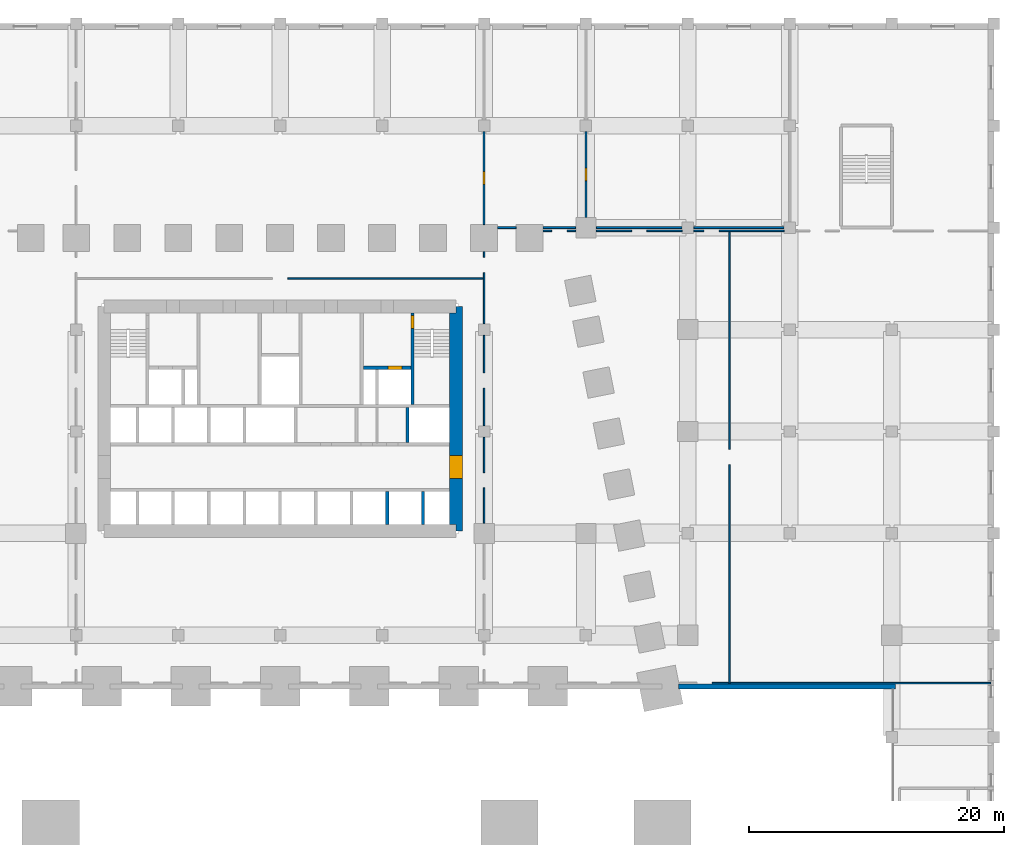
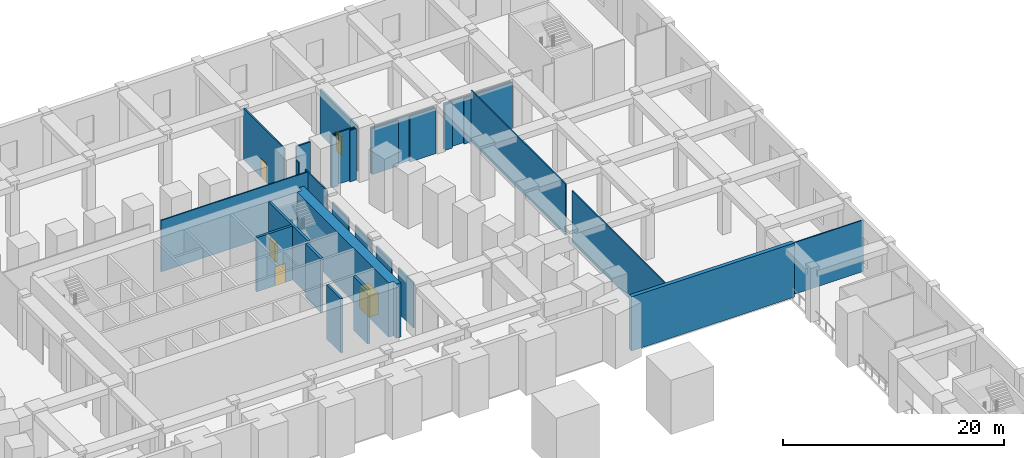
# One storey, part 12 of 25: 29 walls, 5 doors, 5 openings.
"""IFC4 building model written with IfcOpenShell, lengths in metres."""

from ifc_helpers import new_model, si_unit, direction, frame, frame_2d, origin, place, context, subcontext, project, spatial, polyline, rectangle, outline, extrude, material, layer, layer_set, type_object, element, fill, save


model = new_model("IFC4")

# Units and contexts
model_context = context("Model", 3, precision=1e-05, world=origin(), true_north=direction((0.0, 1.0)))
body_context = subcontext(model_context, "Body", "Model", "MODEL_VIEW")
ifc_project = project(units=[si_unit("LENGTHUNIT", "METRE"), si_unit("AREAUNIT", "SQUARE_METRE"), si_unit("VOLUMEUNIT", "CUBIC_METRE"), si_unit("PLANEANGLEUNIT", "RADIAN"), si_unit("MASSUNIT", "GRAM", prefix="KILO")], contexts=[model_context])

# Site, building, storey
site_placement = place(None, origin())
site = spatial("IfcSite", under=ifc_project, at=site_placement, CompositionType="ELEMENT")
building_placement = place(site_placement, origin())
building = spatial("IfcBuilding", under=site, at=building_placement, Name="Isbrekke Arena Tower", CompositionType="ELEMENT")
storey_placement = place(building_placement, frame((0.0, 0.0, 6.0)))
storey = spatial("IfcBuildingStorey", under=building, at=storey_placement, Name="L01", CompositionType="ELEMENT", Elevation=6.0)

# Wall
ifc_material_1 = material(Name="Concrete B45 (C45/55)", Category="concrete")
ifc_layer_1 = layer(ifc_material_1, 0.39990234375)
ifc_layer_set_1 = layer_set([ifc_layer_1], Name="AW1 ARENA WALL 400")
wall_type_1 = type_object("IfcWallType", Name="AW1 ARENA WALL 400", PredefinedType="SHEAR", material=ifc_layer_set_1)
wall_1_placement = place(storey_placement, frame((31.25, -6.0, 0.0), z_axis=(0.0, 0.0, 1.0), x_axis=(1.0, 0.0, 0.0)))
element("IfcWall", 1, at=wall_1_placement, inside=storey, type_object=wall_type_1, Name="Arena north wall 10", PredefinedType="SHEAR", context=body_context, shape_type="SweptSolid", body=[
    extrude(rectangle(XDim=17.050048828125, YDim=0.39990234375, at=frame_2d((8.52490234375, 0.0))), origin(), (0.0, 0.0, 1.0), 6.0),
])

# Wall, opening, door
ifc_material_2 = material(Name="Concrete B65 (C65/80)", Category="concrete")
ifc_layer_2 = layer(ifc_material_2, 1.0)
ifc_layer_set_2 = layer_set([ifc_layer_2], Name="CW1 CORE WALL 1000")
wall_type_2 = type_object("IfcWallType", Name="CW1 CORE WALL 1000", PredefinedType="SHEAR", material=ifc_layer_set_2)
wall_2_placement = place(storey_placement, frame((13.800048828125, 6.199951171875, 0.0), z_axis=(0.0, 0.0, 1.0), x_axis=(0.0, 1.0, 0.0)))
wall_2 = element("IfcWall", 2, at=wall_2_placement, inside=storey, type_object=wall_type_2, Name="Core wall E L01", PredefinedType="SHEAR", context=body_context, shape_type="SweptSolid", body=[
    extrude(outline(polyline([(0.0, -0.5), (17.60009765625, -0.5), (17.60009765625, 0.0), (17.10009765625, 0.0), (17.10009765625, 0.5), (0.5, 0.5), (0.5, 0.0), (0.0, 0.0), (0.0, -0.5)])), origin(), (0.0, 0.0, 1.0), 6.0),
])
opening_1_placement = place(wall_2_placement, frame((4.10009765625, 0.0, 0.0)))
opening_1 = element("IfcOpeningElement", 3, at=opening_1_placement, cuts=wall_2, Name="Opening D1", PredefinedType="OPENING", context=body_context, shape_type="SweptSolid", body=[
    extrude(rectangle(XDim=1.800048828125, YDim=2.39990234375, at=frame_2d((0.89990234375, 1.199951171875))), frame((0.0, 0.514892578125, 0.0), z_axis=(0.0, -1.0, 0.0), x_axis=(1.0, 0.0, 0.0)), (0.0, 0.0, 1.0), 1.02978515625),
])
ifc_material_3 = material(Name="Steel-framed glazed fire door", Category="steel")
door_type_1 = type_object("IfcDoorType", Name="D1 CORE LOBBY DOOR 1800 x 2400", OperationType="DOUBLE_DOOR_SINGLE_SWING", PredefinedType="DOOR", material=ifc_material_3)
door_1_placement = place(opening_1_placement, origin())
door_1 = element("IfcDoor", 4, at=door_1_placement, inside=storey, type_object=door_type_1, Name="D1 lift lobby door east L01", OperationType="DOUBLE_DOOR_SINGLE_SWING", OverallHeight=2.39990234375, OverallWidth=1.800048828125, PredefinedType="DOOR", context=body_context, shape_type="SweptSolid", body=[
    extrude(rectangle(XDim=1.800048828125, YDim=2.39990234375, at=frame_2d((0.89990234375, 1.199951171875))), frame((0.0, 0.499755859375, 0.0), z_axis=(0.0, -1.0, 0.0), x_axis=(1.0, 0.0, 0.0)), (0.0, 0.0, 1.0), 0.99951171875),
])
fill(opening_1, door_1)

# Walls
ifc_material_4 = material(Name="Concrete B45 (C45/55)", Category="concrete")
ifc_layer_3 = layer(ifc_material_4, 0.25)
ifc_layer_set_3 = layer_set([ifc_layer_3], Name="CW6 SHAFT WALL 250")
wall_type_3 = type_object("IfcWallType", Name="CW6 SHAFT WALL 250", PredefinedType="SHEAR", material=ifc_layer_set_3)
for number, where, z_axis, x_axis, name in (
    (5, (8.39990234375, 6.699951171875, 0.0), (0.0, 0.0, 1.0), (0.0, 1.0, 0.0), "Core wall SS08 L01"),
    (6, (11.199951171875, 6.699951171875, 0.0), (0.0, 0.0, 1.0), (0.0, 1.0, 0.0), "Core wall SS09 L01"),
):
    element("IfcWall", number, at=place(storey_placement, frame(where, z_axis=z_axis, x_axis=x_axis)), inside=storey, type_object=wall_type_3, Name=name, PredefinedType="SHEAR", context=body_context, shape_type="SweptSolid", body=[
        extrude(rectangle(XDim=2.574951171875, YDim=0.25, at=frame_2d((1.28759765625, 0.0))), origin(), (0.0, 0.0, 1.0), 6.0),
    ])
wall_3_placement = place(storey_placement, frame((10.0, 13.125, 0.0), z_axis=(0.0, 0.0, 1.0), x_axis=(0.0, 1.0, 0.0)))
element("IfcWall", 7, at=wall_3_placement, inside=storey, type_object=wall_type_3, Name="Core wall SN07 L01", PredefinedType="SHEAR", context=body_context, shape_type="SweptSolid", body=[
    extrude(rectangle(XDim=2.75, YDim=0.25, at=frame_2d((1.375, 0.0))), origin(), (0.0, 0.0, 1.0), 6.0),
])

# Wall, opening, door
wall_4_placement = place(storey_placement, frame((10.39990234375, 16.125, 0.0), z_axis=(0.0, 0.0, 1.0), x_axis=(0.0, 1.0, 0.0)))
wall_4 = element("IfcWall", 8, at=wall_4_placement, inside=storey, type_object=wall_type_3, Name="Core wall NV06 L01", PredefinedType="SHEAR", context=body_context, shape_type="SweptSolid", body=[
    extrude(rectangle(XDim=7.175048828125, YDim=0.25, at=frame_2d((3.58740234375, 0.0))), origin(), (0.0, 0.0, 1.0), 6.0),
])
opening_2_placement = place(wall_4_placement, frame((5.97509765625, 0.0, 0.0)))
opening_2 = element("IfcOpeningElement", 9, at=opening_2_placement, cuts=wall_4, Name="Opening D2", PredefinedType="OPENING", context=body_context, shape_type="SweptSolid", body=[
    extrude(rectangle(XDim=1.0, YDim=2.10009765625, at=frame_2d((0.5, 1.050048828125))), frame((0.0, 0.139892578125, 0.0), z_axis=(0.0, -1.0, 0.0), x_axis=(1.0, 0.0, 0.0)), (0.0, 0.0, 1.0), 0.27978515625),
])
ifc_material_5 = material(Name="Steel fire door", Category="steel")
door_type_2 = type_object("IfcDoorType", Name="D2 STAIR DOOR 1000 x 2100", OperationType="SINGLE_SWING_LEFT", PredefinedType="DOOR", material=ifc_material_5)
door_2_placement = place(opening_2_placement, origin())
door_2 = element("IfcDoor", 10, at=door_2_placement, inside=storey, type_object=door_type_2, Name="D2 stair door ST2 L01", OperationType="SINGLE_SWING_LEFT", OverallHeight=2.10009765625, OverallWidth=1.0, PredefinedType="DOOR", context=body_context, shape_type="SweptSolid", body=[
    extrude(rectangle(XDim=1.0, YDim=2.10009765625, at=frame_2d((0.5, 1.050048828125))), frame((0.0, 0.124755859375, 0.0), z_axis=(0.0, -1.0, 0.0), x_axis=(1.0, 0.0, 0.0)), (0.0, 0.0, 1.0), 0.24951171875),
])
fill(opening_2, door_2)

wall_5_placement = place(storey_placement, frame((6.52490234375, 19.0, 0.0), z_axis=(0.0, 0.0, 1.0), x_axis=(1.0, 0.0, 0.0)))
wall_5 = element("IfcWall", 11, at=wall_5_placement, inside=storey, type_object=wall_type_3, Name="Core wall NFE L01", PredefinedType="SHEAR", context=body_context, shape_type="SweptSolid", body=[
    extrude(rectangle(XDim=3.75, YDim=0.25, at=frame_2d((1.875, 0.0))), origin(), (0.0, 0.0, 1.0), 6.0),
])
opening_3_placement = place(wall_5_placement, frame((1.925048828125, 0.0, 0.0)))
opening_3 = element("IfcOpeningElement", 12, at=opening_3_placement, cuts=wall_5, Name="Opening LD2", PredefinedType="OPENING", context=body_context, shape_type="SweptSolid", body=[
    extrude(rectangle(XDim=1.10009765625, YDim=2.10009765625, at=frame_2d((0.550048828125, 1.050048828125))), frame((0.0, 0.139892578125, 0.0), z_axis=(0.0, -1.0, 0.0), x_axis=(1.0, 0.0, 0.0)), (0.0, 0.0, 1.0), 0.27978515625),
])
ifc_material_6 = material(Name="Stainless steel lift landing door", Category="steel")
door_type_3 = type_object("IfcDoorType", Name="LD2 FIRE-FIGHTING LIFT LANDING DOOR 1100 x 2100", OperationType="SLIDING_TO_RIGHT", PredefinedType="DOOR", material=ifc_material_6)
door_3_placement = place(opening_3_placement, origin())
door_3 = element("IfcDoor", 13, at=door_3_placement, inside=storey, type_object=door_type_3, Name="LD2 lift landing door LF L01", OperationType="SLIDING_TO_RIGHT", OverallHeight=2.10009765625, OverallWidth=1.10009765625, PredefinedType="DOOR", context=body_context, shape_type="SweptSolid", body=[
    extrude(rectangle(XDim=1.10009765625, YDim=2.10009765625, at=frame_2d((0.550048828125, 1.050048828125))), frame((0.0, 0.124755859375, 0.0), z_axis=(0.0, -1.0, 0.0), x_axis=(1.0, 0.0, 0.0)), (0.0, 0.0, 1.0), 0.24951171875),
])
fill(opening_3, door_3)

ifc_material_7 = material(Name="Gypsum board partition on steel studs", Category="steel")
ifc_layer_4 = layer(ifc_material_7, 0.14990234375)
ifc_layer_set_4 = layer_set([ifc_layer_4], Name="IW1 PARTITION 150")
wall_type_4 = type_object("IfcWallType", Name="IW1 PARTITION 150", PredefinedType="PARTITIONING", material=ifc_layer_set_4)
wall_6_placement = place(storey_placement, frame((16.0, 30.235107421875, 0.0), z_axis=(0.0, 0.0, 1.0), x_axis=(0.0, 1.0, 0.0)))
wall_6 = element("IfcWall", 14, at=wall_6_placement, inside=storey, type_object=wall_type_4, Name="IW1 partition L01", PredefinedType="PARTITIONING", context=body_context, shape_type="SweptSolid", body=[
    extrude(rectangle(XDim=7.304931640625, YDim=0.14990234375, at=frame_2d((3.65234375, 0.0))), origin(), (0.0, 0.0, 1.0), 5.699951171875),
])
opening_4_placement = place(wall_6_placement, frame((3.152587890625, 0.0, 0.0)))
opening_4 = element("IfcOpeningElement", 15, at=opening_4_placement, cuts=wall_6, Name="Opening D6", PredefinedType="OPENING", context=body_context, shape_type="SweptSolid", body=[
    extrude(rectangle(XDim=1.0, YDim=2.10009765625, at=frame_2d((0.5, 1.050048828125))), frame((0.0, 0.08984375, 0.0), z_axis=(0.0, -1.0, 0.0), x_axis=(1.0, 0.0, 0.0)), (0.0, 0.0, 1.0), 0.1796875),
])
ifc_material_8 = material(Name="Timber door", Category="wood")
door_type_4 = type_object("IfcDoorType", Name="D6 ROOM DOOR 1000 x 2100", OperationType="SINGLE_SWING_LEFT", PredefinedType="DOOR", material=ifc_material_8)
door_4_placement = place(opening_4_placement, origin())
door_4 = element("IfcDoor", 16, at=door_4_placement, inside=storey, type_object=door_type_4, Name="D6 door L01-09", OperationType="SINGLE_SWING_LEFT", OverallHeight=2.10009765625, OverallWidth=1.0, PredefinedType="DOOR", context=body_context, shape_type="SweptSolid", body=[
    extrude(rectangle(XDim=1.0, YDim=2.10009765625, at=frame_2d((0.5, 1.050048828125))), frame((0.0, 0.07470703125, 0.0), z_axis=(0.0, -1.0, 0.0), x_axis=(1.0, 0.0, 0.0)), (0.0, 0.0, 1.0), 0.1494140625),
])
fill(opening_4, door_4)

wall_7_placement = place(storey_placement, frame((24.0, 30.81005859375, 0.0), z_axis=(0.0, 0.0, 1.0), x_axis=(0.0, 1.0, 0.0)))
wall_7 = element("IfcWall", 17, at=wall_7_placement, inside=storey, type_object=wall_type_4, Name="IW1 partition L01", PredefinedType="PARTITIONING", context=body_context, shape_type="SweptSolid", body=[
    extrude(rectangle(XDim=6.72998046875, YDim=0.14990234375, at=frame_2d((3.364990234375, 0.0))), origin(), (0.0, 0.0, 1.0), 5.050048828125),
])
opening_5_placement = place(wall_7_placement, frame((2.864990234375, 0.0, 0.0)))
opening_5 = element("IfcOpeningElement", 18, at=opening_5_placement, cuts=wall_7, Name="Opening D6", PredefinedType="OPENING", context=body_context, shape_type="SweptSolid", body=[
    extrude(rectangle(XDim=1.0, YDim=2.10009765625, at=frame_2d((0.5, 1.050048828125))), frame((0.0, 0.08984375, 0.0), z_axis=(0.0, -1.0, 0.0), x_axis=(1.0, 0.0, 0.0)), (0.0, 0.0, 1.0), 0.1796875),
])
door_5_placement = place(opening_5_placement, origin())
door_5 = element("IfcDoor", 19, at=door_5_placement, inside=storey, type_object=door_type_4, Name="D6 door L01-10", OperationType="SINGLE_SWING_LEFT", OverallHeight=2.10009765625, OverallWidth=1.0, PredefinedType="DOOR", context=body_context, shape_type="SweptSolid", body=[
    extrude(rectangle(XDim=1.0, YDim=2.10009765625, at=frame_2d((0.5, 1.050048828125))), frame((0.0, 0.07470703125, 0.0), z_axis=(0.0, -1.0, 0.0), x_axis=(1.0, 0.0, 0.0)), (0.0, 0.0, 1.0), 0.1494140625),
])
fill(opening_5, door_5)

# Walls
wall_8_placement = place(storey_placement, frame((17.06005859375, 30.0, 0.0), z_axis=(0.0, 0.0, 1.0), x_axis=(1.0, 0.0, 0.0)))
element("IfcWall", 20, at=wall_8_placement, inside=storey, type_object=wall_type_4, Name="IW1 partition L01", PredefinedType="PARTITIONING", context=body_context, shape_type="SweptSolid", body=[
    extrude(rectangle(XDim=1.454833984375, YDim=0.14990234375, at=frame_2d((0.7275390625, 0.0))), origin(), (0.0, 0.0, 1.0), 5.699951171875),
])
wall_9_placement = place(storey_placement, frame((20.635009765625, 30.0, 0.0), z_axis=(0.0, 0.0, 1.0), x_axis=(1.0, 0.0, 0.0)))
element("IfcWall", 21, at=wall_9_placement, inside=storey, type_object=wall_type_4, Name="IW1 partition L01", PredefinedType="PARTITIONING", context=body_context, shape_type="SweptSolid", body=[
    extrude(rectangle(XDim=2.554931640625, YDim=0.14990234375, at=frame_2d((1.27734375, 0.0))), origin(), (0.0, 0.0, 1.0), 5.699951171875),
])
wall_10_placement = place(storey_placement, frame((24.81005859375, 30.0, 0.0), z_axis=(0.0, 0.0, 1.0), x_axis=(1.0, 0.0, 0.0)))
element("IfcWall", 22, at=wall_10_placement, inside=storey, type_object=wall_type_4, Name="IW1 partition L01", PredefinedType="PARTITIONING", context=body_context, shape_type="SweptSolid", body=[
    extrude(rectangle(XDim=6.72998046875, YDim=0.14990234375, at=frame_2d((3.364990234375, 0.0))), origin(), (0.0, 0.0, 1.0), 5.050048828125),
])
wall_11_placement = place(storey_placement, frame((32.4599609375, 30.0, 0.0), z_axis=(0.0, 0.0, 1.0), x_axis=(1.0, 0.0, 0.0)))
element("IfcWall", 23, at=wall_11_placement, inside=storey, type_object=wall_type_4, Name="IW1 partition L01", PredefinedType="PARTITIONING", context=body_context, shape_type="SweptSolid", body=[
    extrude(rectangle(XDim=7.080078125, YDim=0.14990234375, at=frame_2d((3.5400390625, 0.0))), origin(), (0.0, 0.0, 1.0), 5.050048828125),
])
ifc_material_9 = material(Name="Frameless glazed partition, laminated acoustic glass", Category="glass")
ifc_layer_5 = layer(ifc_material_9, 0.1201171875)
ifc_layer_set_5 = layer_set([ifc_layer_5], Name="IW2 GLAZED PARTITION 120")
wall_type_5 = type_object("IfcWallType", Name="IW2 GLAZED PARTITION 120", PredefinedType="PARTITIONING", material=ifc_layer_set_5)
wall_12_placement = place(storey_placement, frame((16.0, 6.81005859375, 0.0), z_axis=(0.0, 0.0, 1.0), x_axis=(0.0, 1.0, 0.0)))
element("IfcWall", 24, at=wall_12_placement, inside=storey, type_object=wall_type_5, Name="IW2 glazed partition L01", PredefinedType="PARTITIONING", context=body_context, shape_type="SweptSolid", body=[
    extrude(rectangle(XDim=2.764892578125, YDim=0.1201171875, at=frame_2d((1.38232421875, 0.0))), origin(), (0.0, 0.0, 1.0), 5.050048828125),
])
wall_13_placement = place(storey_placement, frame((16.0, 10.77490234375, 0.0), z_axis=(0.0, 0.0, 1.0), x_axis=(0.0, 1.0, 0.0)))
element("IfcWall", 25, at=wall_13_placement, inside=storey, type_object=wall_type_5, Name="IW2 glazed partition L01", PredefinedType="PARTITIONING", context=body_context, shape_type="SweptSolid", body=[
    extrude(rectangle(XDim=2.76513671875, YDim=0.1201171875, at=frame_2d((1.382568359375, 0.0))), origin(), (0.0, 0.0, 1.0), 5.050048828125),
])
for number, where, z_axis, x_axis, name in (
    (26, (16.0, 14.4599609375, 0.0), (0.0, 0.0, 1.0), (0.0, 1.0, 0.0), "IW2 glazed partition L01"),
    (27, (16.0, 18.60009765625, 0.0), (0.0, 0.0, 1.0), (0.0, 1.0, 0.0), "IW2 glazed partition L01"),
):
    element("IfcWall", number, at=place(storey_placement, frame(where, z_axis=z_axis, x_axis=x_axis)), inside=storey, type_object=wall_type_5, Name=name, PredefinedType="PARTITIONING", context=body_context, shape_type="SweptSolid", body=[
        extrude(rectangle(XDim=2.93994140625, YDim=0.1201171875, at=frame_2d((1.469970703125, 0.0))), origin(), (0.0, 0.0, 1.0), 5.050048828125),
    ])
wall_14_placement = place(storey_placement, frame((16.0, 22.4599609375, 0.0), z_axis=(0.0, 0.0, 1.0), x_axis=(0.0, 1.0, 0.0)))
element("IfcWall", 28, at=wall_14_placement, inside=storey, type_object=wall_type_5, Name="IW2 glazed partition L01", PredefinedType="PARTITIONING", context=body_context, shape_type="SweptSolid", body=[
    extrude(rectangle(XDim=3.99755859375, YDim=0.1201171875, at=frame_2d((1.998779296875, 0.0))), origin(), (0.0, 0.0, 1.0), 5.699951171875),
])
wall_15_placement = place(storey_placement, frame((16.0, 27.657470703125, 0.0), z_axis=(0.0, 0.0, 1.0), x_axis=(0.0, 1.0, 0.0)))
element("IfcWall", 29, at=wall_15_placement, inside=storey, type_object=wall_type_5, Name="IW2 glazed partition L01", PredefinedType="PARTITIONING", context=body_context, shape_type="SweptSolid", body=[
    extrude(rectangle(XDim=0.45751953125, YDim=0.1201171875, at=frame_2d((0.228759765625, 0.0))), origin(), (0.0, 0.0, 1.0), 5.699951171875),
])
for number, where, z_axis, x_axis, name in (
    (30, (35.25, -5.75, 0.0), (0.0, 0.0, 1.0), (0.0, 1.0, 0.0), "IW2 glazed partition L01"),
    (31, (35.25, 12.60009765625, 0.0), (0.0, 0.0, 1.0), (0.0, 1.0, 0.0), "IW2 glazed partition L01"),
):
    element("IfcWall", number, at=place(storey_placement, frame(where, z_axis=z_axis, x_axis=x_axis)), inside=storey, type_object=wall_type_5, Name=name, PredefinedType="PARTITIONING", context=body_context, shape_type="SweptSolid", body=[
        extrude(rectangle(XDim=17.14990234375, YDim=0.1201171875, at=frame_2d((8.574951171875, 0.0))), origin(), (0.0, 0.0, 1.0), 5.699951171875),
    ])
wall_16_placement = place(storey_placement, frame((33.900390625, -5.75, 0.0), z_axis=(0.0, 0.0, 1.0), x_axis=(1.0, 0.0, 0.0)))
element("IfcWall", 32, at=wall_16_placement, inside=storey, type_object=wall_type_5, Name="IW2 glazed partition L01", PredefinedType="PARTITIONING", context=body_context, shape_type="SweptSolid", body=[
    extrude(rectangle(XDim=21.849609375, YDim=0.1201171875, at=frame_2d((10.9248046875, 0.0))), origin(), (0.0, 0.0, 1.0), 5.699951171875),
])
wall_17_placement = place(storey_placement, frame((0.60009765625, 26.0, 0.0), z_axis=(0.0, 0.0, 1.0), x_axis=(1.0, 0.0, 0.0)))
element("IfcWall", 33, at=wall_17_placement, inside=storey, type_object=wall_type_5, Name="IW2 glazed partition L01", PredefinedType="PARTITIONING", context=body_context, shape_type="SweptSolid", body=[
    extrude(rectangle(XDim=15.39990234375, YDim=0.1201171875, at=frame_2d((7.699951171875, 0.0))), origin(), (0.0, 0.0, 1.0), 5.699951171875),
])
for number, where, z_axis, x_axis, name in (
    (34, (20.635009765625, 29.75, 0.0), (0.0, 0.0, 1.0), (1.0, 0.0, 0.0), "IW2 glazed partition L01"),
    (35, (22.512451171875, 29.75, 0.0), (0.0, 0.0, 1.0), (1.0, 0.0, 0.0), "IW2 glazed partition L01"),
):
    element("IfcWall", number, at=place(storey_placement, frame(where, z_axis=z_axis, x_axis=x_axis)), inside=storey, type_object=wall_type_5, Name=name, PredefinedType="PARTITIONING", context=body_context, shape_type="SweptSolid", body=[
        extrude(rectangle(XDim=0.677490234375, YDim=0.1201171875, at=frame_2d((0.3388671875, 0.0))), origin(), (0.0, 0.0, 1.0), 5.699951171875),
    ])
wall_18_placement = place(storey_placement, frame((24.81005859375, 29.75, 0.0), z_axis=(0.0, 0.0, 1.0), x_axis=(1.0, 0.0, 0.0)))
element("IfcWall", 36, at=wall_18_placement, inside=storey, type_object=wall_type_5, Name="IW2 glazed partition L01", PredefinedType="PARTITIONING", context=body_context, shape_type="SweptSolid", body=[
    extrude(rectangle(XDim=2.764892578125, YDim=0.1201171875, at=frame_2d((1.38232421875, 0.0))), origin(), (0.0, 0.0, 1.0), 5.050048828125),
])
wall_19_placement = place(storey_placement, frame((28.77490234375, 29.75, 0.0), z_axis=(0.0, 0.0, 1.0), x_axis=(1.0, 0.0, 0.0)))
element("IfcWall", 37, at=wall_19_placement, inside=storey, type_object=wall_type_5, Name="IW2 glazed partition L01", PredefinedType="PARTITIONING", context=body_context, shape_type="SweptSolid", body=[
    extrude(rectangle(XDim=2.76513671875, YDim=0.1201171875, at=frame_2d((1.382568359375, 0.0))), origin(), (0.0, 0.0, 1.0), 5.050048828125),
])
wall_20_placement = place(storey_placement, frame((32.4599609375, 29.75, 0.0), z_axis=(0.0, 0.0, 1.0), x_axis=(1.0, 0.0, 0.0)))
element("IfcWall", 38, at=wall_20_placement, inside=storey, type_object=wall_type_5, Name="IW2 glazed partition L01", PredefinedType="PARTITIONING", context=body_context, shape_type="SweptSolid", body=[
    extrude(rectangle(XDim=0.794921875, YDim=0.1201171875, at=frame_2d((0.3974609375, 0.0))), origin(), (0.0, 0.0, 1.0), 5.050048828125),
])
wall_21_placement = place(storey_placement, frame((34.455078125, 29.75, 0.0), z_axis=(0.0, 0.0, 1.0), x_axis=(1.0, 0.0, 0.0)))
element("IfcWall", 39, at=wall_21_placement, inside=storey, type_object=wall_type_5, Name="IW2 glazed partition L01", PredefinedType="PARTITIONING", context=body_context, shape_type="SweptSolid", body=[
    extrude(rectangle(XDim=5.0849609375, YDim=0.1201171875, at=frame_2d((2.54248046875, 0.0))), origin(), (0.0, 0.0, 1.0), 5.050048828125),
])

save(model, "model.ifc")
